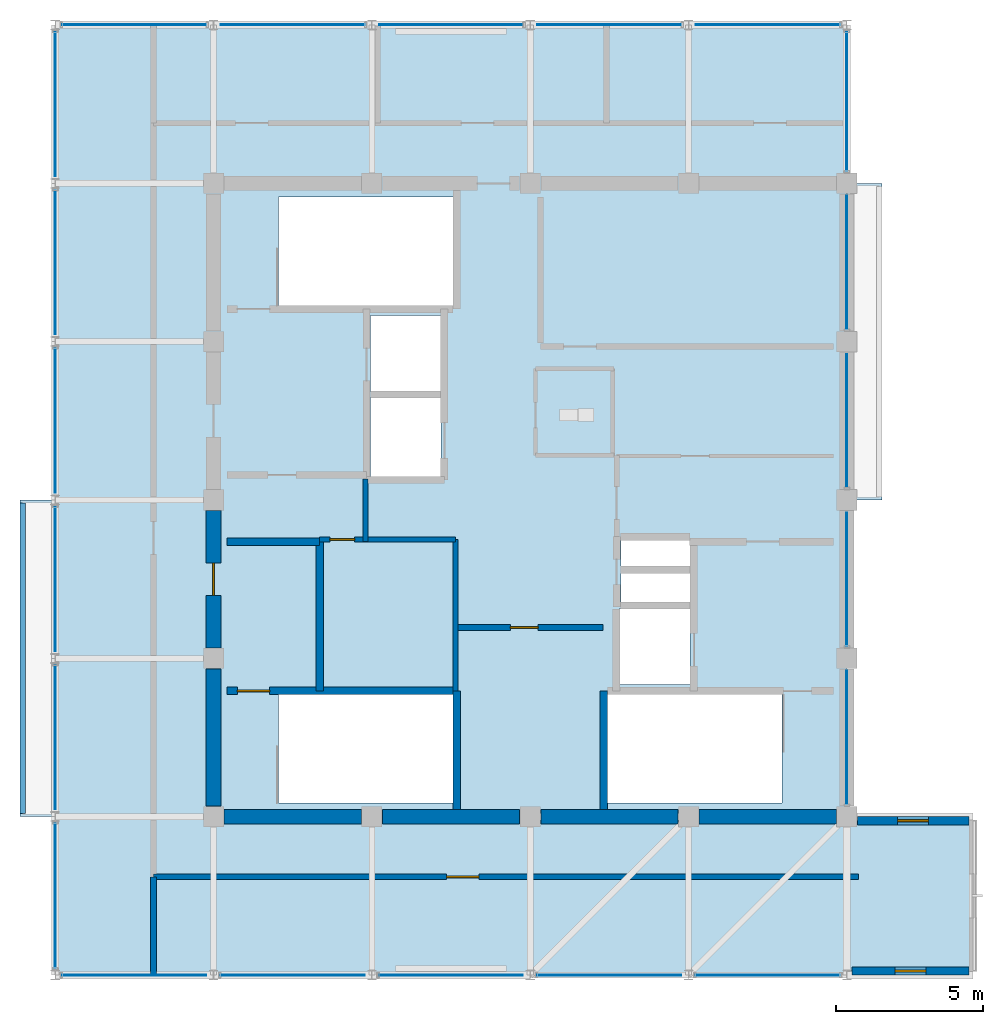
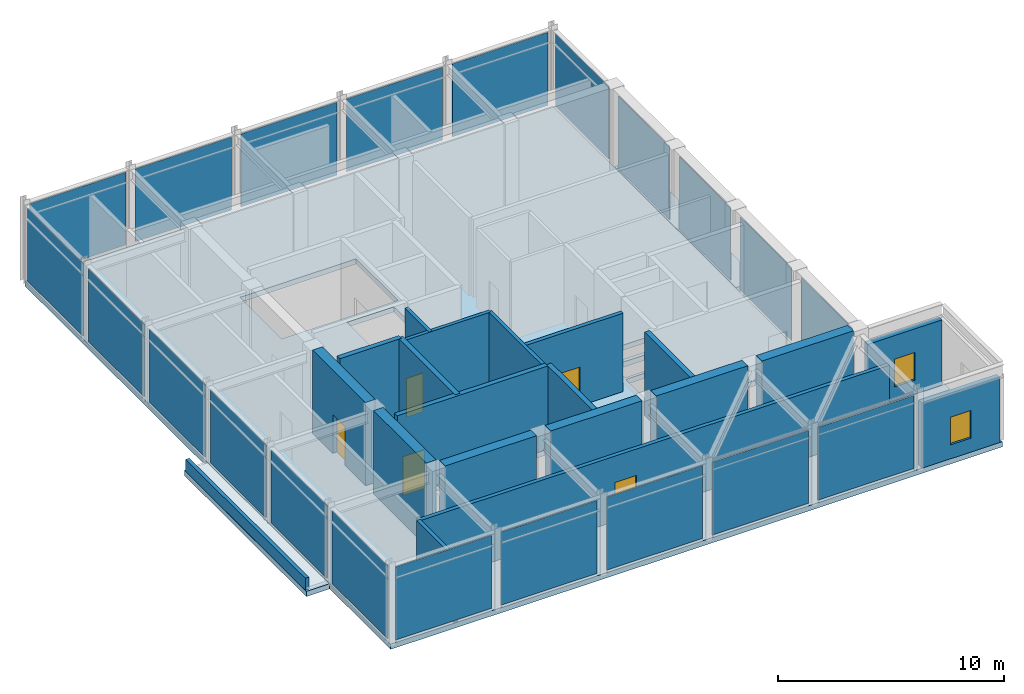
# One storey, part 14 of 18: 21 plates, 20 walls, 5 doors, 3 slabs, 2 windows, 7 openings, 4 elements without a shape of their own.
"""IFC4 building model written with IfcOpenShell, lengths in metres."""

from ifc_helpers import new_model, si_unit, direction, frame, frame_2d, origin, place, context, subcontext, project, spatial, polyline, rectangle, outline, extrude, material, layer, layer_set, type_object, element, fill, aggregate, save


model = new_model("IFC4")

# Units and contexts
model_context = context("Model", 3, precision=1e-05, world=origin(), true_north=direction((0.0, 1.0)))
body_context = subcontext(model_context, "Body", "Model", "MODEL_VIEW")
ifc_project = project(units=[si_unit("LENGTHUNIT", "METRE"), si_unit("AREAUNIT", "SQUARE_METRE"), si_unit("VOLUMEUNIT", "CUBIC_METRE"), si_unit("PLANEANGLEUNIT", "RADIAN"), si_unit("MASSUNIT", "GRAM", prefix="KILO")], contexts=[model_context])

# Site, building, storey
site_placement = place(None, origin())
site = spatial("IfcSite", under=ifc_project, at=site_placement, CompositionType="ELEMENT")
building_placement = place(site_placement, origin())
building = spatial("IfcBuilding", under=site, at=building_placement, Name="Surkhivell Harbour Commons", CompositionType="ELEMENT")
storey_placement = place(building_placement, frame((0.0, 0.0, 360.0)))
storey = spatial("IfcBuildingStorey", under=building, at=storey_placement, Name="L93", CompositionType="ELEMENT", Elevation=360.0)

# Curtain wall, plates
ifc_material_1 = material(Name="Anodised pale-metal aluminium and insulated glazing", Category="aluminium")
ifc_layer_1 = layer(ifc_material_1, 0.22998046875)
ifc_layer_set_1 = layer_set([ifc_layer_1], Name="Anodised pale-metal aluminium and insulated glazing")
curtain_wall_type = type_object("IfcCurtainWallType", Name="CW-SYS-CRN", PredefinedType="NOTDEFINED", material=ifc_layer_set_1)
curtain_wall_1_placement = place(storey_placement, origin())
curtain_wall_1 = element("IfcCurtainWall", 1, at=curtain_wall_1_placement, inside=storey, type_object=curtain_wall_type, Name="L93 Curtain Wall CW-L93-C00", PredefinedType="NOTDEFINED")
ifc_material_2 = material(Name="Botanical conservatory clear low-iron glass", Category="glass")
ifc_layer_2 = layer(ifc_material_2, 0.033935546875)
ifc_layer_set_2 = layer_set([ifc_layer_2], Name="Botanical conservatory clear low-iron glass")
plate_type = type_object("IfcPlateType", Name="CWP-CRN-34", PredefinedType="CURTAIN_PANEL", material=ifc_layer_set_2)
plate_1_placement = place(storey_placement, frame((-15.952880859375, -16.199951171875, 0.14990234375), z_axis=(0.0, 0.0, 1.0), x_axis=(1.0, 0.0, 0.0)))
plate_1 = element("IfcPlate", 2, at=plate_1_placement, type_object=plate_type, Name="CW-CRN panel 1.1", PredefinedType="CURTAIN_PANEL", context=body_context, shape_type="SweptSolid", body=[
    extrude(rectangle(XDim=4.90576171875, YDim=0.033935546875, at=frame_2d((2.452880859375, 0.0))), origin(), (0.0, 0.0, 1.0), 3.940185546875),
])
plate_2_placement = place(storey_placement, frame((-10.552978515625, -16.199951171875, 0.14990234375), z_axis=(0.0, 0.0, 1.0), x_axis=(1.0, 0.0, 0.0)))
plate_2 = element("IfcPlate", 3, at=plate_2_placement, type_object=plate_type, Name="CW-CRN panel 2.1", PredefinedType="CURTAIN_PANEL", context=body_context, shape_type="SweptSolid", body=[
    extrude(rectangle(XDim=4.906005859375, YDim=0.033935546875, at=frame_2d((2.453125, 0.0))), origin(), (0.0, 0.0, 1.0), 3.940185546875),
])
plate_3_placement = place(storey_placement, frame((-5.153076171875, -16.199951171875, 0.14990234375), z_axis=(0.0, 0.0, 1.0), x_axis=(1.0, 0.0, 0.0)))
plate_3 = element("IfcPlate", 4, at=plate_3_placement, type_object=plate_type, Name="CW-CRN panel 3.1", PredefinedType="CURTAIN_PANEL", context=body_context, shape_type="SweptSolid", body=[
    extrude(rectangle(XDim=4.906005859375, YDim=0.033935546875, at=frame_2d((2.453125, 0.0))), origin(), (0.0, 0.0, 1.0), 3.940185546875),
])
plate_4_placement = place(storey_placement, frame((0.2470703125, -16.199951171875, 0.14990234375), z_axis=(0.0, 0.0, 1.0), x_axis=(1.0, 0.0, 0.0)))
plate_4 = element("IfcPlate", 5, at=plate_4_placement, type_object=plate_type, Name="CW-CRN panel 4.1", PredefinedType="CURTAIN_PANEL", context=body_context, shape_type="SweptSolid", body=[
    extrude(rectangle(XDim=4.906005859375, YDim=0.033935546875, at=frame_2d((2.453125, 0.0))), origin(), (0.0, 0.0, 1.0), 3.940185546875),
])
plate_5_placement = place(storey_placement, frame((5.64697265625, -16.199951171875, 0.14990234375), z_axis=(0.0, 0.0, 1.0), x_axis=(1.0, 0.0, 0.0)))
plate_5 = element("IfcPlate", 6, at=plate_5_placement, type_object=plate_type, Name="CW-CRN panel 5.1", PredefinedType="CURTAIN_PANEL", context=body_context, shape_type="SweptSolid", body=[
    extrude(rectangle(XDim=4.906005859375, YDim=0.033935546875, at=frame_2d((2.453125, 0.0))), origin(), (0.0, 0.0, 1.0), 3.940185546875),
])
aggregate(curtain_wall_1, [plate_1, plate_2, plate_3, plate_4, plate_5])

curtain_wall_2_placement = place(storey_placement, origin())
curtain_wall_2 = element("IfcCurtainWall", 7, at=curtain_wall_2_placement, inside=storey, type_object=curtain_wall_type, Name="L93 Curtain Wall CW-L93-C01S1", PredefinedType="NOTDEFINED")
plate_6_placement = place(storey_placement, frame((10.800048828125, -10.373046875, 0.14990234375), z_axis=(0.0, 0.0, 1.0), x_axis=(0.0, 1.0, 0.0)))
plate_6 = element("IfcPlate", 8, at=plate_6_placement, type_object=plate_type, Name="CW-CRN panel 1.1", PredefinedType="CURTAIN_PANEL", context=body_context, shape_type="SweptSolid", body=[
    extrude(rectangle(XDim=4.546142578125, YDim=0.033935546875, at=frame_2d((2.27294921875, 0.0))), origin(), (0.0, 0.0, 1.0), 3.940185546875),
])
plate_7_placement = place(storey_placement, frame((10.800048828125, -4.972900390625, 0.14990234375), z_axis=(0.0, 0.0, 1.0), x_axis=(0.0, 1.0, 0.0)))
plate_7 = element("IfcPlate", 9, at=plate_7_placement, type_object=plate_type, Name="CW-CRN panel 2.1", PredefinedType="CURTAIN_PANEL", context=body_context, shape_type="SweptSolid", body=[
    extrude(rectangle(XDim=4.5458984375, YDim=0.033935546875, at=frame_2d((2.27294921875, 0.0))), origin(), (0.0, 0.0, 1.0), 3.940185546875),
])
plate_8_placement = place(storey_placement, frame((10.800048828125, 0.427001953125, 0.14990234375), z_axis=(0.0, 0.0, 1.0), x_axis=(0.0, 1.0, 0.0)))
plate_8 = element("IfcPlate", 10, at=plate_8_placement, type_object=plate_type, Name="CW-CRN panel 3.1", PredefinedType="CURTAIN_PANEL", context=body_context, shape_type="SweptSolid", body=[
    extrude(rectangle(XDim=4.5458984375, YDim=0.033935546875, at=frame_2d((2.27294921875, 0.0))), origin(), (0.0, 0.0, 1.0), 3.940185546875),
])
plate_9_placement = place(storey_placement, frame((10.800048828125, 5.826904296875, 0.14990234375), z_axis=(0.0, 0.0, 1.0), x_axis=(0.0, 1.0, 0.0)))
plate_9 = element("IfcPlate", 11, at=plate_9_placement, type_object=plate_type, Name="CW-CRN panel 4.1", PredefinedType="CURTAIN_PANEL", context=body_context, shape_type="SweptSolid", body=[
    extrude(rectangle(XDim=4.546142578125, YDim=0.033935546875, at=frame_2d((2.27294921875, 0.0))), origin(), (0.0, 0.0, 1.0), 3.940185546875),
])
plate_10_placement = place(storey_placement, frame((10.800048828125, 11.22705078125, 0.14990234375), z_axis=(0.0, 0.0, 1.0), x_axis=(0.0, 1.0, 0.0)))
plate_10 = element("IfcPlate", 12, at=plate_10_placement, type_object=plate_type, Name="CW-CRN panel 5.1", PredefinedType="CURTAIN_PANEL", context=body_context, shape_type="SweptSolid", body=[
    extrude(rectangle(XDim=4.725830078125, YDim=0.033935546875, at=frame_2d((2.36279296875, 0.0))), origin(), (0.0, 0.0, 1.0), 3.940185546875),
])
aggregate(curtain_wall_2, [plate_6, plate_7, plate_8, plate_9, plate_10])

curtain_wall_3_placement = place(storey_placement, origin())
curtain_wall_3 = element("IfcCurtainWall", 13, at=curtain_wall_3_placement, inside=storey, type_object=curtain_wall_type, Name="L93 Curtain Wall CW-L93-C02", PredefinedType="NOTDEFINED")
plate_11_placement = place(storey_placement, frame((10.552978515625, 16.199951171875, 0.14990234375), z_axis=(0.0, 0.0, 1.0), x_axis=(-1.0, 0.0, 0.0)))
plate_11 = element("IfcPlate", 14, at=plate_11_placement, type_object=plate_type, Name="CW-CRN panel 1.1", PredefinedType="CURTAIN_PANEL", context=body_context, shape_type="SweptSolid", body=[
    extrude(rectangle(XDim=4.906005859375, YDim=0.033935546875, at=frame_2d((2.453125, 0.0))), origin(), (0.0, 0.0, 1.0), 3.940185546875),
])
plate_12_placement = place(storey_placement, frame((5.153076171875, 16.199951171875, 0.14990234375), z_axis=(0.0, 0.0, 1.0), x_axis=(-1.0, 0.0, 0.0)))
plate_12 = element("IfcPlate", 15, at=plate_12_placement, type_object=plate_type, Name="CW-CRN panel 2.1", PredefinedType="CURTAIN_PANEL", context=body_context, shape_type="SweptSolid", body=[
    extrude(rectangle(XDim=4.906005859375, YDim=0.033935546875, at=frame_2d((2.453125, 0.0))), origin(), (0.0, 0.0, 1.0), 3.940185546875),
])
plate_13_placement = place(storey_placement, frame((-0.2470703125, 16.199951171875, 0.14990234375), z_axis=(0.0, 0.0, 1.0), x_axis=(-1.0, 0.0, 0.0)))
plate_13 = element("IfcPlate", 16, at=plate_13_placement, type_object=plate_type, Name="CW-CRN panel 3.1", PredefinedType="CURTAIN_PANEL", context=body_context, shape_type="SweptSolid", body=[
    extrude(rectangle(XDim=4.906005859375, YDim=0.033935546875, at=frame_2d((2.453125, 0.0))), origin(), (0.0, 0.0, 1.0), 3.940185546875),
])
plate_14_placement = place(storey_placement, frame((-5.64697265625, 16.199951171875, 0.14990234375), z_axis=(0.0, 0.0, 1.0), x_axis=(-1.0, 0.0, 0.0)))
plate_14 = element("IfcPlate", 17, at=plate_14_placement, type_object=plate_type, Name="CW-CRN panel 4.1", PredefinedType="CURTAIN_PANEL", context=body_context, shape_type="SweptSolid", body=[
    extrude(rectangle(XDim=4.906005859375, YDim=0.033935546875, at=frame_2d((2.453125, 0.0))), origin(), (0.0, 0.0, 1.0), 3.940185546875),
])
plate_15_placement = place(storey_placement, frame((-11.047119140625, 16.199951171875, 0.14990234375), z_axis=(0.0, 0.0, 1.0), x_axis=(-1.0, 0.0, 0.0)))
plate_15 = element("IfcPlate", 18, at=plate_15_placement, type_object=plate_type, Name="CW-CRN panel 5.1", PredefinedType="CURTAIN_PANEL", context=body_context, shape_type="SweptSolid", body=[
    extrude(rectangle(XDim=4.90576171875, YDim=0.033935546875, at=frame_2d((2.452880859375, 0.0))), origin(), (0.0, 0.0, 1.0), 3.940185546875),
])
aggregate(curtain_wall_3, [plate_11, plate_12, plate_13, plate_14, plate_15])

curtain_wall_4_placement = place(storey_placement, origin())
curtain_wall_4 = element("IfcCurtainWall", 19, at=curtain_wall_4_placement, inside=storey, type_object=curtain_wall_type, Name="L93 Curtain Wall CW-L93-C03S1", PredefinedType="NOTDEFINED")
plate_16_placement = place(storey_placement, frame((-16.199951171875, 15.952880859375, 0.14990234375), z_axis=(0.0, 0.0, 1.0), x_axis=(0.0, -1.0, 0.0)))
plate_16 = element("IfcPlate", 20, at=plate_16_placement, type_object=plate_type, Name="CW-CRN panel 1.1", PredefinedType="CURTAIN_PANEL", context=body_context, shape_type="SweptSolid", body=[
    extrude(rectangle(XDim=4.90576171875, YDim=0.033935546875, at=frame_2d((2.452880859375, 0.0))), origin(), (0.0, 0.0, 1.0), 3.940185546875),
])
plate_17_placement = place(storey_placement, frame((-16.199951171875, 10.552978515625, 0.14990234375), z_axis=(0.0, 0.0, 1.0), x_axis=(0.0, -1.0, 0.0)))
plate_17 = element("IfcPlate", 21, at=plate_17_placement, type_object=plate_type, Name="CW-CRN panel 2.1", PredefinedType="CURTAIN_PANEL", context=body_context, shape_type="SweptSolid", body=[
    extrude(rectangle(XDim=4.906005859375, YDim=0.033935546875, at=frame_2d((2.453125, 0.0))), origin(), (0.0, 0.0, 1.0), 3.940185546875),
])
plate_18_placement = place(storey_placement, frame((-16.199951171875, 5.153076171875, 0.14990234375), z_axis=(0.0, 0.0, 1.0), x_axis=(0.0, -1.0, 0.0)))
plate_18 = element("IfcPlate", 22, at=plate_18_placement, type_object=plate_type, Name="CW-CRN panel 3.1", PredefinedType="CURTAIN_PANEL", context=body_context, shape_type="SweptSolid", body=[
    extrude(rectangle(XDim=4.906005859375, YDim=0.033935546875, at=frame_2d((2.453125, 0.0))), origin(), (0.0, 0.0, 1.0), 3.940185546875),
])
plate_19_placement = place(storey_placement, frame((-16.199951171875, -0.2470703125, 0.14990234375), z_axis=(0.0, 0.0, 1.0), x_axis=(0.0, -1.0, 0.0)))
plate_19 = element("IfcPlate", 23, at=plate_19_placement, type_object=plate_type, Name="CW-CRN panel 4.1", PredefinedType="CURTAIN_PANEL", context=body_context, shape_type="SweptSolid", body=[
    extrude(rectangle(XDim=4.906005859375, YDim=0.033935546875, at=frame_2d((2.453125, 0.0))), origin(), (0.0, 0.0, 1.0), 3.940185546875),
])
plate_20_placement = place(storey_placement, frame((-16.199951171875, -5.64697265625, 0.14990234375), z_axis=(0.0, 0.0, 1.0), x_axis=(0.0, -1.0, 0.0)))
plate_20 = element("IfcPlate", 24, at=plate_20_placement, type_object=plate_type, Name="CW-CRN panel 5.1", PredefinedType="CURTAIN_PANEL", context=body_context, shape_type="SweptSolid", body=[
    extrude(rectangle(XDim=4.906005859375, YDim=0.033935546875, at=frame_2d((2.453125, 0.0))), origin(), (0.0, 0.0, 1.0), 3.940185546875),
])
plate_21_placement = place(storey_placement, frame((-16.199951171875, -11.047119140625, 0.14990234375), z_axis=(0.0, 0.0, 1.0), x_axis=(0.0, -1.0, 0.0)))
plate_21 = element("IfcPlate", 25, at=plate_21_placement, type_object=plate_type, Name="CW-CRN panel 6.1", PredefinedType="CURTAIN_PANEL", context=body_context, shape_type="SweptSolid", body=[
    extrude(rectangle(XDim=4.90576171875, YDim=0.033935546875, at=frame_2d((2.452880859375, 0.0))), origin(), (0.0, 0.0, 1.0), 3.940185546875),
])
aggregate(curtain_wall_4, [plate_16, plate_17, plate_18, plate_19, plate_20, plate_21])

# Slabs
ifc_material_3 = material(Name="Concrete C50/60", Category="concrete")
ifc_layer_3 = layer(ifc_material_3, 0.280029296875)
ifc_layer_set_3 = layer_set([ifc_layer_3], Name="Concrete C50/60")
slab_type_1 = type_object("IfcSlabType", Name="SLB-BOXRF-280", PredefinedType="ROOF", material=ifc_layer_set_3)
slab_1_placement = place(storey_placement, frame((0.0, 0.0, -0.280029296875)))
element("IfcSlab", 26, at=slab_1_placement, inside=storey, type_object=slab_type_1, Name="L93 Closed Box-Cluster Roof Slab 1", PredefinedType="ROOF", context=body_context, shape_type="SweptSolid", body=[
    extrude(outline(polyline([(10.820068359375, 10.800048828125), (10.820068359375, 0.0), (12.0, 0.0), (12.0, 10.800048828125), (10.820068359375, 10.800048828125)])), origin(), (0.0, 0.0, 1.0), 0.280029296875),
])
slab_2_placement = place(storey_placement, frame((0.0, 0.0, -0.280029296875)))
element("IfcSlab", 27, at=slab_2_placement, inside=storey, type_object=slab_type_1, Name="L93 Closed Box-Cluster Roof Slab 2", PredefinedType="ROOF", context=body_context, shape_type="SweptSolid", body=[
    extrude(outline(polyline([(-16.219970703125, -10.800048828125), (-16.219970703125, 0.0), (-17.39990234375, 0.0), (-17.39990234375, -10.800048828125), (-16.219970703125, -10.800048828125)])), origin(), (0.0, 0.0, 1.0), 0.280029296875),
])
ifc_layer_4 = layer(ifc_material_3, 0.280029296875)
ifc_layer_set_4 = layer_set([ifc_layer_4], Name="Concrete C50/60")
slab_type_2 = type_object("IfcSlabType", Name="SLB-CRN-280", PredefinedType="FLOOR", material=ifc_layer_set_4)
slab_3_placement = place(storey_placement, frame((0.0, 0.0, -0.280029296875)))
element("IfcSlab", 28, at=slab_3_placement, inside=storey, type_object=slab_type_2, Name="L93 Structural Floor Slab", PredefinedType="FLOOR", context=body_context, shape_type="SweptSolid", body=[
    extrude(outline(polyline([(10.800048828125, -16.199951171875), (15.10009765625, -16.199951171875), (15.10009765625, -10.800048828125), (10.800048828125, -10.800048828125), (10.800048828125, 16.199951171875), (-16.199951171875, 16.199951171875), (-16.199951171875, -16.199951171875), (10.800048828125, -16.199951171875)]), holes=[polyline([(-8.590087890625, 6.639892578125), (-2.639892578125, 6.639892578125), (-2.639892578125, 10.340087890625), (-8.590087890625, 10.340087890625), (-8.590087890625, 6.639892578125)]), polyline([(8.590087890625, -6.639892578125), (2.639892578125, -6.639892578125), (2.639892578125, -10.340087890625), (8.590087890625, -10.340087890625), (8.590087890625, -6.639892578125)]), polyline([(-8.590087890625, -10.340087890625), (-2.639892578125, -10.340087890625), (-2.639892578125, -6.639892578125), (-8.590087890625, -6.639892578125), (-8.590087890625, -10.340087890625)]), polyline([(-5.449951171875, 3.699951171875), (-3.050048828125, 3.699951171875), (-3.050048828125, 6.300048828125), (-5.449951171875, 6.300048828125), (-5.449951171875, 3.699951171875)]), polyline([(3.050048828125, -6.300048828125), (5.449951171875, -6.300048828125), (5.449951171875, -3.699951171875), (3.050048828125, -3.699951171875), (3.050048828125, -6.300048828125)]), polyline([(-5.449951171875, 0.800048828125), (-3.050048828125, 0.800048828125), (-3.050048828125, 3.5), (-5.449951171875, 3.5), (-5.449951171875, 0.800048828125)]), polyline([(3.10009765625, -3.550048828125), (5.449951171875, -3.550048828125), (5.449951171875, -2.47998046875), (3.10009765625, -2.47998046875), (3.10009765625, -3.550048828125)]), polyline([(3.10009765625, -2.280029296875), (5.449951171875, -2.280029296875), (5.449951171875, -1.35009765625), (3.10009765625, -1.35009765625), (3.10009765625, -2.280029296875)])]), origin(), (0.0, 0.0, 1.0), 0.280029296875),
])

# Walls
ifc_layer_5 = layer(ifc_material_3, 0.5)
ifc_layer_set_5 = layer_set([ifc_layer_5], Name="Concrete C50/60")
wall_type_1 = type_object("IfcWallType", Name="WAL-CORE-500", PredefinedType="SHEAR", material=ifc_layer_set_5)
for number, where, z_axis, x_axis, name in (
    (29, (-10.43994140625, -10.800048828125, 0.0), (0.0, 0.0, 1.0), (1.0, 0.0, 0.0), "L93 Core Shear Wall South 1"),
    (30, (-10.800048828125, -10.43994140625, 0.0), (0.0, 0.0, 1.0), (0.0, 1.0, 0.0), "L93 Core Shear Wall West 1"),
    (31, (-5.0400390625, -10.800048828125, 0.0), (0.0, 0.0, 1.0), (1.0, 0.0, 0.0), "L93 Core Shear Wall South 2"),
):
    element("IfcWall", number, at=place(storey_placement, frame(where, z_axis=z_axis, x_axis=x_axis)), inside=storey, type_object=wall_type_1, Name=name, PredefinedType="SHEAR", context=body_context, shape_type="SweptSolid", body=[
        extrude(rectangle(XDim=4.679931640625, YDim=0.5, at=frame_2d((2.33984375, 0.0))), origin(), (0.0, 0.0, 1.0), 4.5),
    ])

# Wall, opening, door
wall_1_placement = place(storey_placement, frame((-10.800048828125, -5.0400390625, 0.0), z_axis=(0.0, 0.0, 1.0), x_axis=(0.0, 1.0, 0.0)))
wall_1 = element("IfcWall", 32, at=wall_1_placement, inside=storey, type_object=wall_type_1, Name="L93 Core Shear Wall West 2", PredefinedType="SHEAR", context=body_context, shape_type="SweptSolid", body=[
    extrude(rectangle(XDim=4.679931640625, YDim=0.5, at=frame_2d((2.33984375, 0.0))), origin(), (0.0, 0.0, 1.0), 4.5),
])
opening_1_placement = place(wall_1_placement, frame((1.7900390625, 0.0, 0.0)))
opening_1 = element("IfcOpeningElement", 33, at=opening_1_placement, cuts=wall_1, Name="Opening ID-2", PredefinedType="OPENING", context=body_context, shape_type="SweptSolid", body=[
    extrude(rectangle(XDim=1.10009765625, YDim=2.10009765625, at=frame_2d((0.550048828125, 1.050048828125))), frame((0.0, 0.260009765625, 0.0), z_axis=(0.0, -1.0, 0.0), x_axis=(1.0, 0.0, 0.0)), (0.0, 0.0, 1.0), 0.52001953125),
])
ifc_material_4 = material(Name="Hardwood-veneered fire-rated door leaf", Category="wood")
door_type_1 = type_object("IfcDoorType", Name="DOR-FD60-1100", OperationType="NOTDEFINED", PredefinedType="DOOR", material=ifc_material_4)
door_1_placement = place(opening_1_placement, origin())
door_1 = element("IfcDoor", 34, at=door_1_placement, inside=storey, type_object=door_type_1, Name="L93 Stair 3 Lobby Corridor Door", OperationType="SINGLE_SWING_LEFT", OverallHeight=2.10009765625, OverallWidth=1.10009765625, PredefinedType="DOOR", context=body_context, shape_type="SweptSolid", body=[
    extrude(rectangle(XDim=1.10009765625, YDim=2.10009765625, at=frame_2d((0.550048828125, 1.050048828125))), frame((0.0, 0.02490234375, 0.0), z_axis=(0.0, -1.0, 0.0), x_axis=(1.0, 0.0, 0.0)), (0.0, 0.0, 1.0), 0.050048828125),
])
fill(opening_1, door_1)

# Walls
for number, where, z_axis, x_axis, name in (
    (35, (0.360107421875, -10.800048828125, 0.0), (0.0, 0.0, 1.0), (1.0, 0.0, 0.0), "L93 Core Shear Wall South 3"),
    (36, (5.760009765625, -10.800048828125, 0.0), (0.0, 0.0, 1.0), (1.0, 0.0, 0.0), "L93 Core Shear Wall South 4"),
):
    element("IfcWall", number, at=place(storey_placement, frame(where, z_axis=z_axis, x_axis=x_axis)), inside=storey, type_object=wall_type_1, Name=name, PredefinedType="SHEAR", context=body_context, shape_type="SweptSolid", body=[
        extrude(rectangle(XDim=4.679931640625, YDim=0.5, at=frame_2d((2.33984375, 0.0))), origin(), (0.0, 0.0, 1.0), 4.5),
    ])

# Wall, opening, window
ifc_material_5 = material(Name="Terracotta-clad reinforced concrete C45/55", Category="masonry")
ifc_layer_6 = layer(ifc_material_5, 0.280029296875)
ifc_layer_set_6 = layer_set([ifc_layer_6], Name="Terracotta-clad reinforced concrete C45/55")
wall_type_2 = type_object("IfcWallType", Name="WAL-EXT-TER280", PredefinedType="STANDARD", material=ifc_layer_set_6)
wall_2_placement = place(storey_placement, frame((10.97412109375, -16.06005859375, 0.0), z_axis=(0.0, 0.0, 1.0), x_axis=(1.0, 0.0, 0.0)))
wall_2 = element("IfcWall", 37, at=wall_2_placement, inside=storey, type_object=wall_type_2, Name="L93 Coloured Box Return Wall 01S", PredefinedType="STANDARD", context=body_context, shape_type="SweptSolid", body=[
    extrude(rectangle(XDim=3.98583984375, YDim=0.280029296875, at=frame_2d((1.992919921875, 0.0))), origin(), (0.0, 0.0, 1.0), 3.527099609375),
])
opening_2_placement = place(wall_2_placement, frame((1.468017578125, 0.0, 0.75)))
opening_2 = element("IfcOpeningElement", 38, at=opening_2_placement, cuts=wall_2, Name="Opening WN-11", PredefinedType="OPENING", context=body_context, shape_type="SweptSolid", body=[
    extrude(rectangle(XDim=1.050048828125, YDim=1.5, at=frame_2d((0.52490234375, 0.75))), frame((0.0, 0.14990234375, 0.0), z_axis=(0.0, -1.0, 0.0), x_axis=(1.0, 0.0, 0.0)), (0.0, 0.0, 1.0), 0.300048828125),
])
ifc_material_6 = material(Name="Thermal-break aluminium frame and double low-E glazing", Category="aluminium")
window_type = type_object("IfcWindowType", Name="WIN-SER-1050x1500", PartitioningType="SINGLE_PANEL", PredefinedType="WINDOW", material=ifc_material_6)
window_1_placement = place(opening_2_placement, origin())
window_1 = element("IfcWindow", 39, at=window_1_placement, inside=storey, type_object=window_type, Name="L93 Coloured Box Return Window 01S", OverallHeight=1.5, OverallWidth=1.050048828125, PartitioningType="SINGLE_PANEL", PredefinedType="WINDOW", context=body_context, shape_type="SweptSolid", body=[
    extrude(rectangle(XDim=1.050048828125, YDim=1.5, at=frame_2d((0.52490234375, 0.75))), frame((0.0, 0.030029296875, 0.0), z_axis=(0.0, -1.0, 0.0), x_axis=(1.0, 0.0, 0.0)), (0.0, 0.0, 1.0), 0.06005859375),
])
fill(opening_2, window_1)

wall_3_placement = place(storey_placement, frame((11.154052734375, -10.93994140625, 0.0), z_axis=(0.0, 0.0, 1.0), x_axis=(1.0, 0.0, 0.0)))
wall_3 = element("IfcWall", 40, at=wall_3_placement, inside=storey, type_object=wall_type_2, Name="L93 Coloured Box Return Wall 01N", PredefinedType="STANDARD", context=body_context, shape_type="SweptSolid", body=[
    extrude(rectangle(XDim=3.805908203125, YDim=0.280029296875, at=frame_2d((1.90283203125, 0.0))), origin(), (0.0, 0.0, 1.0), 3.527099609375),
])
opening_3_placement = place(wall_3_placement, frame((1.3779296875, 0.0, 0.75)))
opening_3 = element("IfcOpeningElement", 41, at=opening_3_placement, cuts=wall_3, Name="Opening WN-11", PredefinedType="OPENING", context=body_context, shape_type="SweptSolid", body=[
    extrude(rectangle(XDim=1.050048828125, YDim=1.5, at=frame_2d((0.52490234375, 0.75))), frame((0.0, 0.14990234375, 0.0), z_axis=(0.0, -1.0, 0.0), x_axis=(1.0, 0.0, 0.0)), (0.0, 0.0, 1.0), 0.300048828125),
])
window_2_placement = place(opening_3_placement, origin())
window_2 = element("IfcWindow", 42, at=window_2_placement, inside=storey, type_object=window_type, Name="L93 Coloured Box Return Window 01N", OverallHeight=1.5, OverallWidth=1.050048828125, PartitioningType="SINGLE_PANEL", PredefinedType="WINDOW", context=body_context, shape_type="SweptSolid", body=[
    extrude(rectangle(XDim=1.050048828125, YDim=1.5, at=frame_2d((0.52490234375, 0.75))), frame((0.0, 0.030029296875, 0.0), z_axis=(0.0, -1.0, 0.0), x_axis=(1.0, 0.0, 0.0)), (0.0, 0.0, 1.0), 0.06005859375),
])
fill(opening_3, window_2)

# Wall
ifc_material_7 = material(Name="High-density acoustic blockwork fire partition", Category="masonry")
ifc_layer_7 = layer(ifc_material_7, 0.175048828125)
ifc_layer_set_7 = layer_set([ifc_layer_7], Name="High-density acoustic blockwork fire partition")
wall_type_3 = type_object("IfcWallType", Name="WAL-INT-175", PredefinedType="PARTITIONING", material=ifc_layer_set_7)
wall_4_placement = place(storey_placement, frame((-2.550048828125, -6.510009765625, 0.0), z_axis=(0.0, 0.0, 1.0), x_axis=(0.0, 1.0, 0.0)))
element("IfcWall", 43, at=wall_4_placement, inside=storey, type_object=wall_type_3, Name="L93 Core Service Bay East Wall", PredefinedType="PARTITIONING", context=body_context, shape_type="SweptSolid", body=[
    extrude(rectangle(XDim=5.159912109375, YDim=0.175048828125, at=frame_2d((2.580078125, 0.0))), origin(), (0.0, 0.0, 1.0), 4.239990234375),
])

# Wall, opening, door
wall_5_placement = place(storey_placement, frame((-7.179931640625, -1.35009765625, 0.0), z_axis=(0.0, 0.0, 1.0), x_axis=(1.0, 0.0, 0.0)))
wall_5 = element("IfcWall", 44, at=wall_5_placement, inside=storey, type_object=wall_type_3, Name="L93 Core Service Bay North Wall", PredefinedType="PARTITIONING", context=body_context, shape_type="SweptSolid", body=[
    extrude(rectangle(XDim=4.6298828125, YDim=0.175048828125, at=frame_2d((2.31494140625, 0.0))), origin(), (0.0, 0.0, 1.0), 4.239990234375),
])
opening_4_placement = place(wall_5_placement, frame((0.345947265625, 0.0, 0.0)))
opening_4 = element("IfcOpeningElement", 45, at=opening_4_placement, cuts=wall_5, Name="Opening ID-6", PredefinedType="OPENING", context=body_context, shape_type="SweptSolid", body=[
    extrude(rectangle(XDim=0.85009765625, YDim=2.10009765625, at=frame_2d((0.425048828125, 1.050048828125))), frame((0.0, 0.097412109375, 0.0), z_axis=(0.0, -1.0, 0.0), x_axis=(1.0, 0.0, 0.0)), (0.0, 0.0, 1.0), 0.195068359375),
])
door_type_2 = type_object("IfcDoorType", Name="DOR-FD30-850", OperationType="NOTDEFINED", PredefinedType="DOOR", material=ifc_material_4)
door_2_placement = place(opening_4_placement, origin())
door_2 = element("IfcDoor", 46, at=door_2_placement, inside=storey, type_object=door_type_2, Name="L93 Core Metering Door", OperationType="SINGLE_SWING_LEFT", OverallHeight=2.10009765625, OverallWidth=0.85009765625, PredefinedType="DOOR", context=body_context, shape_type="SweptSolid", body=[
    extrude(rectangle(XDim=0.85009765625, YDim=2.10009765625, at=frame_2d((0.425048828125, 1.050048828125))), frame((0.0, 0.02490234375, 0.0), z_axis=(0.0, -1.0, 0.0), x_axis=(1.0, 0.0, 0.0)), (0.0, 0.0, 1.0), 0.050048828125),
])
fill(opening_4, door_2)

# Wall
wall_6_placement = place(storey_placement, frame((-5.6201171875, -1.419921875, 0.0), z_axis=(0.0, 0.0, 1.0), x_axis=(0.0, 1.0, 0.0)))
element("IfcWall", 47, at=wall_6_placement, inside=storey, type_object=wall_type_3, Name="L93 West Core Bay East Wall", PredefinedType="PARTITIONING", context=body_context, shape_type="SweptSolid", body=[
    extrude(rectangle(XDim=2.139892578125, YDim=0.175048828125, at=frame_2d((1.06982421875, 0.0))), origin(), (0.0, 0.0, 1.0), 4.239990234375),
])

# Wall, opening, door
ifc_material_8 = material(Name="Autoclaved aerated concrete blockwork and fire plaster", Category="masonry")
ifc_layer_8 = layer(ifc_material_8, 0.199951171875)
ifc_layer_set_8 = layer_set([ifc_layer_8], Name="Autoclaved aerated concrete blockwork and fire plaster")
wall_type_4 = type_object("IfcWallType", Name="WAL-INT-200", PredefinedType="PARTITIONING", material=ifc_layer_set_8)
wall_7_placement = place(storey_placement, frame((-2.47998046875, -4.35009765625, 0.0), z_axis=(0.0, 0.0, 1.0), x_axis=(1.0, 0.0, 0.0)))
wall_7 = element("IfcWall", 48, at=wall_7_placement, inside=storey, type_object=wall_type_4, Name="L93 Core Maintenance Store North Wall", PredefinedType="PARTITIONING", context=body_context, shape_type="SweptSolid", body=[
    extrude(rectangle(XDim=4.9599609375, YDim=0.199951171875, at=frame_2d((2.47998046875, 0.0))), origin(), (0.0, 0.0, 1.0), 4.239990234375),
])
opening_5_placement = place(wall_7_placement, frame((1.800048828125, 0.0, 0.0)))
opening_5 = element("IfcOpeningElement", 49, at=opening_5_placement, cuts=wall_7, Name="Opening ID-4", PredefinedType="OPENING", context=body_context, shape_type="SweptSolid", body=[
    extrude(rectangle(XDim=0.949951171875, YDim=2.10009765625, at=frame_2d((0.47509765625, 1.050048828125))), frame((0.0, 0.10986328125, 0.0), z_axis=(0.0, -1.0, 0.0), x_axis=(1.0, 0.0, 0.0)), (0.0, 0.0, 1.0), 0.219970703125),
])
door_type_3 = type_object("IfcDoorType", Name="DOR-FD60-950", OperationType="NOTDEFINED", PredefinedType="DOOR", material=ifc_material_4)
door_3_placement = place(opening_5_placement, origin())
door_3 = element("IfcDoor", 50, at=door_3_placement, inside=storey, type_object=door_type_3, Name="L93 Maintenance Store Door", OperationType="SINGLE_SWING_LEFT", OverallHeight=2.10009765625, OverallWidth=0.949951171875, PredefinedType="DOOR", context=body_context, shape_type="SweptSolid", body=[
    extrude(rectangle(XDim=0.949951171875, YDim=2.10009765625, at=frame_2d((0.47509765625, 1.050048828125))), frame((0.0, 0.02490234375, 0.0), z_axis=(0.0, -1.0, 0.0), x_axis=(1.0, 0.0, 0.0)), (0.0, 0.0, 1.0), 0.050048828125),
])
fill(opening_5, door_3)

# Wall
wall_8_placement = place(storey_placement, frame((-12.85009765625, -16.159912109375, 0.0), z_axis=(0.0, 0.0, 1.0), x_axis=(0.0, 1.0, 0.0)))
element("IfcWall", 51, at=wall_8_placement, inside=storey, type_object=wall_type_4, Name="L93 Crown SW Corner Wall", PredefinedType="PARTITIONING", context=body_context, shape_type="SweptSolid", body=[
    extrude(rectangle(XDim=3.309814453125, YDim=0.199951171875, at=frame_2d((1.65478515625, 0.0))), origin(), (0.0, 0.0, 1.0), 3.527099609375),
])

# Wall, opening, door
wall_9_placement = place(storey_placement, frame((-12.85009765625, -12.85009765625, 0.0), z_axis=(0.0, 0.0, 1.0), x_axis=(1.0, 0.0, 0.0)))
wall_9 = element("IfcWall", 52, at=wall_9_placement, inside=storey, type_object=wall_type_4, Name="L93 Crown Corridor South Wall", PredefinedType="PARTITIONING", context=body_context, shape_type="SweptSolid", body=[
    extrude(rectangle(XDim=24.050048828125, YDim=0.199951171875, at=frame_2d((12.02490234375, 0.0))), origin(), (0.0, 0.0, 1.0), 3.527099609375),
])
opening_6_placement = place(wall_9_placement, frame((10.0, 0.0, 0.0)))
opening_6 = element("IfcOpeningElement", 53, at=opening_6_placement, cuts=wall_9, Name="Opening ID-2", PredefinedType="OPENING", context=body_context, shape_type="SweptSolid", body=[
    extrude(rectangle(XDim=1.10009765625, YDim=2.10009765625, at=frame_2d((0.550048828125, 1.050048828125))), frame((0.0, 0.10986328125, 0.0), z_axis=(0.0, -1.0, 0.0), x_axis=(1.0, 0.0, 0.0)), (0.0, 0.0, 1.0), 0.219970703125),
])
door_4_placement = place(opening_6_placement, origin())
door_4 = element("IfcDoor", 54, at=door_4_placement, inside=storey, type_object=door_type_1, Name="L93 L93 Roof Lift Machine and Switchgear Hall Door", OperationType="SINGLE_SWING_RIGHT", OverallHeight=2.10009765625, OverallWidth=1.10009765625, PredefinedType="DOOR", context=body_context, shape_type="SweptSolid", body=[
    extrude(rectangle(XDim=1.10009765625, YDim=2.10009765625, at=frame_2d((0.550048828125, 1.050048828125))), frame((0.0, 0.02490234375, 0.0), z_axis=(0.0, -1.0, 0.0), x_axis=(1.0, 0.0, 0.0)), (0.0, 0.0, 1.0), 0.050048828125),
])
fill(opening_6, door_4)

# Walls
ifc_material_9 = material(Name="Anodised aluminium and precast concrete C40/50", Category="concrete")
ifc_layer_9 = layer(ifc_material_9, 0.18505859375)
ifc_layer_set_9 = layer_set([ifc_layer_9], Name="Anodised aluminium and precast concrete C40/50")
wall_type_5 = type_object("IfcWallType", Name="WAL-PAR-185", PredefinedType="PARAPET", material=ifc_layer_set_9)
wall_10_placement = place(storey_placement, frame((-17.300048828125, -0.10009765625, 0.0), z_axis=(0.0, 0.0, 1.0), x_axis=(0.0, -1.0, 0.0)))
element("IfcWall", 55, at=wall_10_placement, inside=storey, type_object=wall_type_5, Name="L93 Box Roof Coping Parapet 2-1", PredefinedType="PARAPET", context=body_context, shape_type="SweptSolid", body=[
    extrude(rectangle(XDim=10.599853515625, YDim=0.18505859375, at=frame_2d((5.2998046875, 0.0))), origin(), (0.0, 0.0, 1.0), 0.64990234375),
])
ifc_layer_10 = layer(ifc_material_3, 0.25)
ifc_layer_set_10 = layer_set([ifc_layer_10], Name="Concrete C50/60")
wall_type_6 = type_object("IfcWallType", Name="WAL-SHAFT-250", PredefinedType="SHEAR", material=ifc_layer_set_10)
for number, where, z_axis, x_axis, name in (
    (56, (2.510009765625, -10.550048828125, 0.0), (0.0, 0.0, 1.0), (0.0, 1.0, 0.0), "L93 Stair ST2 West Shear Wall"),
    (57, (-2.510009765625, -10.550048828125, 0.0), (0.0, 0.0, 1.0), (0.0, 1.0, 0.0), "L93 Stair ST3 East Shear Wall"),
):
    element("IfcWall", number, at=place(storey_placement, frame(where, z_axis=z_axis, x_axis=x_axis)), inside=storey, type_object=wall_type_6, Name=name, PredefinedType="SHEAR", context=body_context, shape_type="SweptSolid", body=[
        extrude(rectangle(XDim=4.0400390625, YDim=0.25, at=frame_2d((2.02001953125, 0.0))), origin(), (0.0, 0.0, 1.0), 4.5),
    ])
wall_11_placement = place(storey_placement, frame((-7.179931640625, -6.510009765625, 0.0), z_axis=(0.0, 0.0, 1.0), x_axis=(0.0, 1.0, 0.0)))
element("IfcWall", 58, at=wall_11_placement, inside=storey, type_object=wall_type_6, Name="L93 Stair 3 Lobby East Wall", PredefinedType="SHEAR", context=body_context, shape_type="SweptSolid", body=[
    extrude(rectangle(XDim=5.090087890625, YDim=0.25, at=frame_2d((2.544921875, 0.0))), origin(), (0.0, 0.0, 1.0), 4.5),
])
wall_12_placement = place(storey_placement, frame((-10.340087890625, -1.419921875, 0.0), z_axis=(0.0, 0.0, 1.0), x_axis=(1.0, 0.0, 0.0)))
element("IfcWall", 59, at=wall_12_placement, inside=storey, type_object=wall_type_6, Name="L93 Stair 3 Lobby North Wall", PredefinedType="SHEAR", context=body_context, shape_type="SweptSolid", body=[
    extrude(rectangle(XDim=3.16015625, YDim=0.25, at=frame_2d((1.580078125, 0.0))), origin(), (0.0, 0.0, 1.0), 4.5),
])

# Wall, opening, door
wall_13_placement = place(storey_placement, frame((-10.340087890625, -6.510009765625, 0.0), z_axis=(0.0, 0.0, 1.0), x_axis=(1.0, 0.0, 0.0)))
wall_13 = element("IfcWall", 60, at=wall_13_placement, inside=storey, type_object=wall_type_6, Name="L93 Stair ST3 North Shear Wall", PredefinedType="SHEAR", context=body_context, shape_type="SweptSolid", body=[
    extrude(rectangle(XDim=7.7001953125, YDim=0.25, at=frame_2d((3.85009765625, 0.0))), origin(), (0.0, 0.0, 1.0), 4.5),
])
opening_7_placement = place(wall_13_placement, frame((0.35009765625, 0.0, 0.0)))
opening_7 = element("IfcOpeningElement", 61, at=opening_7_placement, cuts=wall_13, Name="Opening ID-2", PredefinedType="OPENING", context=body_context, shape_type="SweptSolid", body=[
    extrude(rectangle(XDim=1.10009765625, YDim=2.10009765625, at=frame_2d((0.550048828125, 1.050048828125))), frame((0.0, 0.135009765625, 0.0), z_axis=(0.0, -1.0, 0.0), x_axis=(1.0, 0.0, 0.0)), (0.0, 0.0, 1.0), 0.27001953125),
])
door_5_placement = place(opening_7_placement, origin())
door_5 = element("IfcDoor", 62, at=door_5_placement, inside=storey, type_object=door_type_1, Name="L93 Stair ST3 Exit Door", OperationType="SINGLE_SWING_RIGHT", OverallHeight=2.10009765625, OverallWidth=1.10009765625, PredefinedType="DOOR", context=body_context, shape_type="SweptSolid", body=[
    extrude(rectangle(XDim=1.10009765625, YDim=2.10009765625, at=frame_2d((0.550048828125, 1.050048828125))), frame((0.0, 0.02490234375, 0.0), z_axis=(0.0, -1.0, 0.0), x_axis=(1.0, 0.0, 0.0)), (0.0, 0.0, 1.0), 0.050048828125),
])
fill(opening_7, door_5)

save(model, "model.ifc")
